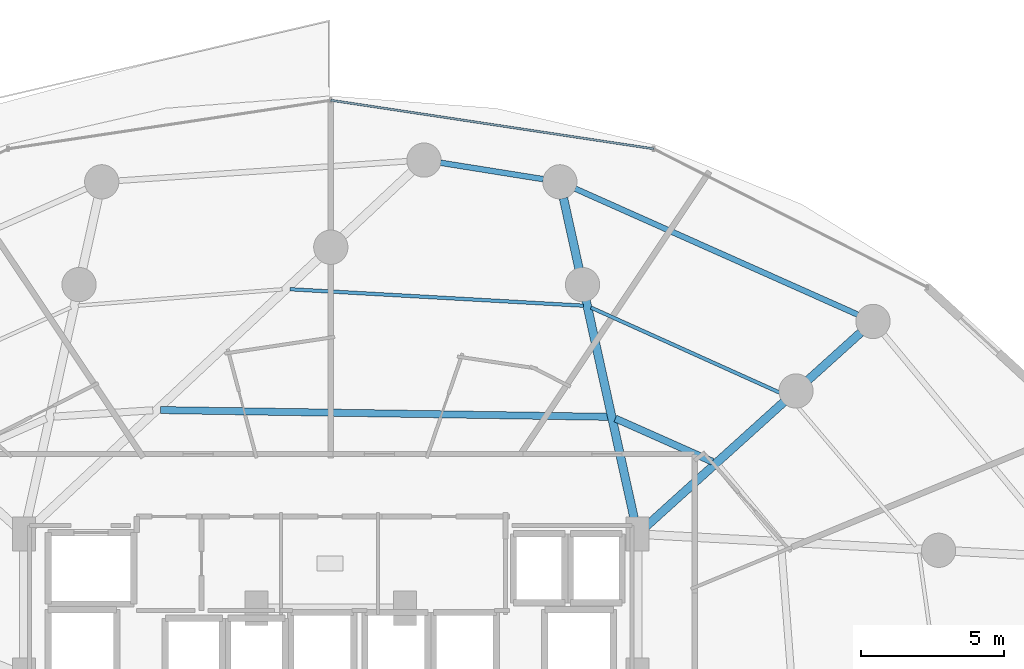
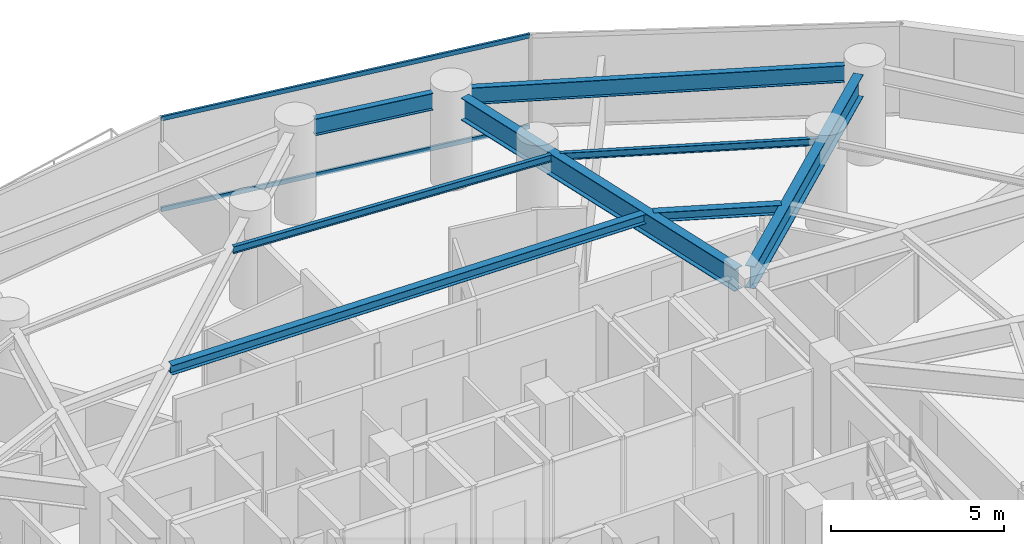
# One storey, part 23 of 35: 8 beams, 2 members, 1 element without a shape of its own.
"""IFC4 building model written with IfcOpenShell, lengths in metres."""

from ifc_helpers import new_model, si_unit, direction, frame, origin, origin_2d, place, context, subcontext, project, spatial, hollow_rectangle, i_section, extrude, material, material_profile, profile_set, type_object, element, aggregate, save


model = new_model("IFC4")

# Units and contexts
model_context = context("Model", 3, precision=1e-05, world=origin(), true_north=direction((0.0, 1.0)))
body_context = subcontext(model_context, "Body", "Model", "MODEL_VIEW")
ifc_project = project(units=[si_unit("LENGTHUNIT", "METRE"), si_unit("AREAUNIT", "SQUARE_METRE"), si_unit("VOLUMEUNIT", "CUBIC_METRE"), si_unit("PLANEANGLEUNIT", "RADIAN"), si_unit("MASSUNIT", "GRAM", prefix="KILO")], contexts=[model_context])

# Site, building, storey
site_placement = place(None, origin())
site = spatial("IfcSite", under=ifc_project, at=site_placement, CompositionType="ELEMENT")
building_placement = place(site_placement, origin())
building = spatial("IfcBuilding", under=site, at=building_placement, Name="Vorneva Point Tower", CompositionType="ELEMENT")
storey_placement = place(building_placement, frame((0.0, 0.0, 48.5)))
storey = spatial("IfcBuildingStorey", under=building, at=storey_placement, Name="L12", CompositionType="ELEMENT", Elevation=48.5)

# Beams
ifc_material_1 = material(Name="Steel S355", Category="steel")
ifc_material_profile_1 = material_profile(ifc_material_1, i_section(OverallWidth=0.300048828125, OverallDepth=0.7880859375, WebThickness=0.014404296875, FlangeThickness=0.02197265625, at=origin_2d()), Name="80Sh1")
ifc_profile_set_1 = profile_set([ifc_material_profile_1], Name="Steel S355")
beam_type_1 = type_object("IfcBeamType", Name="BM-GRD-80Sh1", PredefinedType="USERDEFINED", material=ifc_profile_set_1)
beam_1_placement = place(storey_placement, frame((56.56103515625, 40.205810546875, 2.845947265625), z_axis=(-0.742076105577, -0.670315637243, 0.0), x_axis=(0.670315637243, -0.742076105577, 0.0)))
element("IfcBeam", 1, at=beam_1_placement, inside=storey, type_object=beam_type_1, Name="L12 Radial Primary Girder 03", ObjectType="GIRDER", PredefinedType="USERDEFINED", context=body_context, shape_type="SweptSolid", body=[
    extrude(i_section(OverallWidth=0.300048828125, OverallDepth=0.7880859375, WebThickness=0.014404296875, FlangeThickness=0.02197265625, at=origin_2d()), origin(), (0.0, 0.0, 1.0), 10.18603515625),
])
beam_2_placement = place(storey_placement, frame((46.15283203125, 44.91748046875, 2.845947265625), z_axis=(0.215521919097, -0.976499002759, 0.0), x_axis=(0.976499002759, 0.215521919097, 0.0)))
element("IfcBeam", 2, at=beam_2_placement, inside=storey, type_object=beam_type_1, Name="L12 Radial Primary Girder 04", ObjectType="GIRDER", PredefinedType="USERDEFINED", context=body_context, shape_type="SweptSolid", body=[
    extrude(i_section(OverallWidth=0.300048828125, OverallDepth=0.7880859375, WebThickness=0.014404296875, FlangeThickness=0.02197265625, at=origin_2d()), origin(), (0.0, 0.0, 1.0), 11.710693359375),
])
ifc_material_profile_2 = material_profile(ifc_material_1, i_section(OverallWidth=0.1240234375, OverallDepth=0.248046875, WebThickness=0.0048828125, FlangeThickness=0.008056640625, at=origin_2d()), Name="25B1")
ifc_profile_set_2 = profile_set([ifc_material_profile_2], Name="Steel S355")
beam_type_2 = type_object("IfcBeamType", Name="BM-JST-25B1", PredefinedType="JOIST", material=ifc_profile_set_2)
beam_3_placement = place(storey_placement, frame((53.94091796875, 38.00927734375, 3.115966796875), z_axis=(-0.911700003406, 0.41085654892, 0.0), x_axis=(-0.41085654892, -0.911700003406, 0.0)))
element("IfcBeam", 3, at=beam_3_placement, inside=storey, type_object=beam_type_2, Name="L12 Secondary Floor Beam 1.03", PredefinedType="JOIST", context=body_context, shape_type="SweptSolid", body=[
    extrude(i_section(OverallWidth=0.1240234375, OverallDepth=0.248046875, WebThickness=0.0048828125, FlangeThickness=0.008056640625, at=origin_2d()), origin(), (0.0, 0.0, 1.0), 7.49072265625),
])
beam_4_placement = place(storey_placement, frame((46.847900390625, 41.151611328125, 3.115966796875), z_axis=(-0.998427775921, 0.056053334153, 0.0), x_axis=(-0.056053334153, -0.998427775921, 0.0)))
element("IfcBeam", 4, at=beam_4_placement, inside=storey, type_object=beam_type_2, Name="L12 Secondary Floor Beam 1.04", PredefinedType="JOIST", context=body_context, shape_type="SweptSolid", body=[
    extrude(i_section(OverallWidth=0.1240234375, OverallDepth=0.248046875, WebThickness=0.0048828125, FlangeThickness=0.008056640625, at=origin_2d()), origin(), (0.0, 0.0, 1.0), 10.2919921875),
])
ifc_material_profile_3 = material_profile(ifc_material_1, i_section(OverallWidth=0.2490234375, OverallDepth=0.333984375, WebThickness=0.008056640625, FlangeThickness=0.010986328125, at=origin_2d()), Name="35Sh1")
ifc_profile_set_3 = profile_set([ifc_material_profile_3], Name="Steel S355")
beam_type_3 = type_object("IfcBeamType", Name="BM-SEC-35Sh1", PredefinedType="BEAM", material=ifc_profile_set_3)
beam_5_placement = place(storey_placement, frame((51.37060546875, 35.687255859375, 3.072998046875), z_axis=(-0.913706020961, 0.406375820221, 0.0), x_axis=(-0.406375820221, -0.913706020961, 0.0)))
element("IfcBeam", 5, at=beam_5_placement, inside=storey, type_object=beam_type_3, Name="L12 Secondary Floor Beam 2.03", PredefinedType="BEAM", context=body_context, shape_type="SweptSolid", body=[
    extrude(i_section(OverallWidth=0.2490234375, OverallDepth=0.333984375, WebThickness=0.008056640625, FlangeThickness=0.010986328125, at=origin_2d()), origin(), (0.0, 0.0, 1.0), 3.721923828125),
])
beam_6_placement = place(storey_placement, frame((47.705810546875, 37.2578125, 3.072998046875), z_axis=(-0.999885560728, 0.015128299538, 0.0), x_axis=(-0.015128299538, -0.999885560728, 0.0)))
element("IfcBeam", 6, at=beam_6_placement, inside=storey, type_object=beam_type_3, Name="L12 Secondary Floor Beam 2.04", PredefinedType="BEAM", context=body_context, shape_type="SweptSolid", body=[
    extrude(i_section(OverallWidth=0.2490234375, OverallDepth=0.333984375, WebThickness=0.008056640625, FlangeThickness=0.010986328125, at=origin_2d()), origin(), (0.0, 0.0, 1.0), 15.669921875),
])
ifc_material_profile_4 = material_profile(ifc_material_1, i_section(OverallWidth=0.198974609375, OverallDepth=0.595947265625, WebThickness=0.010009765625, FlangeThickness=0.014892578125, at=origin_2d()), Name="60B1")
ifc_profile_set_4 = profile_set([ifc_material_profile_4], Name="Steel S355")
beam_type_4 = type_object("IfcBeamType", Name="BM-SPN-60B1", PredefinedType="SPANDREL", material=ifc_profile_set_4)
beam_7_placement = place(storey_placement, frame((56.463134765625, 40.837890625, 2.94189453125), z_axis=(-0.913318750016, 0.407245455309, 0.0), x_axis=(-0.407245455309, -0.913318750016, 0.0)))
element("IfcBeam", 7, at=beam_7_placement, inside=storey, type_object=beam_type_4, Name="L12 Perimeter Spandrel Ring Beam 03", PredefinedType="SPANDREL", context=body_context, shape_type="SweptSolid", body=[
    extrude(i_section(OverallWidth=0.198974609375, OverallDepth=0.595947265625, WebThickness=0.010009765625, FlangeThickness=0.014892578125, at=origin_2d()), origin(), (0.0, 0.0, 1.0), 10.842529296875),
])
beam_8_placement = place(storey_placement, frame((45.448486328125, 45.583984375, 2.94189453125), z_axis=(-0.987472321528, 0.157792313549, 0.0), x_axis=(-0.157792313549, -0.987472321528, 0.0)))
element("IfcBeam", 8, at=beam_8_placement, inside=storey, type_object=beam_type_4, Name="L12 Perimeter Spandrel Ring Beam 04", PredefinedType="SPANDREL", context=body_context, shape_type="SweptSolid", body=[
    extrude(i_section(OverallWidth=0.198974609375, OverallDepth=0.595947265625, WebThickness=0.010009765625, FlangeThickness=0.014892578125, at=origin_2d()), origin(), (0.0, 0.0, 1.0), 3.6513671875),
])

# Curtain wall, members
ifc_material_2 = material(Name="Pale anodised aluminium", Category="aluminium")
curtain_wall_type = type_object("IfcCurtainWallType", Name="CW-HTL-SYS", PredefinedType="NOTDEFINED", material=ifc_material_2)
curtain_wall_placement = place(storey_placement, origin())
curtain_wall = element("IfcCurtainWall", 9, at=curtain_wall_placement, inside=storey, type_object=curtain_wall_type, Name="L12 Unitised Curtain Wall CW-L12-R02", PredefinedType="NOTDEFINED")
ifc_material_profile_5 = material_profile(ifc_material_2, hollow_rectangle(XDim=0.074951171875, YDim=0.14990234375, WallThickness=0.00390625, at=origin_2d()), Name="AL-TRN 150x75x4")
ifc_profile_set_5 = profile_set([ifc_material_profile_5], Name="Pale anodised aluminium")
member_type = type_object("IfcMemberType", Name="CW-TRN-150", PredefinedType="USERDEFINED", material=ifc_profile_set_5)
member_1_placement = place(storey_placement, frame((49.308349609375, 46.648681640625, 0.02001953125), z_axis=(-0.988870014575, 0.148782036131, 0.0), x_axis=(-0.148782036131, -0.988870014575, 0.0)))
member_1 = element("IfcMember", 10, at=member_1_placement, type_object=member_type, Name="CW-L12-R02 Transom 02.1", ObjectType="TRANSOM", PredefinedType="USERDEFINED", context=body_context, shape_type="SweptSolid", body=[
    extrude(hollow_rectangle(XDim=0.074951171875, YDim=0.14990234375, WallThickness=0.00390625, at=origin_2d()), origin(), (0.0, 0.0, 1.0), 11.435546875),
])
member_2_placement = place(storey_placement, frame((49.308349609375, 46.648681640625, 3.219970703125), z_axis=(-0.988870014575, 0.148782036131, 0.0), x_axis=(-0.148782036131, -0.988870014575, 0.0)))
member_2 = element("IfcMember", 11, at=member_2_placement, type_object=member_type, Name="CW-L12-R02 Transom 02.2", ObjectType="TRANSOM", PredefinedType="USERDEFINED", context=body_context, shape_type="SweptSolid", body=[
    extrude(hollow_rectangle(XDim=0.074951171875, YDim=0.14990234375, WallThickness=0.00390625, at=origin_2d()), origin(), (0.0, 0.0, 1.0), 11.435546875),
])
aggregate(curtain_wall, [member_1, member_2])

save(model, "model.ifc")
